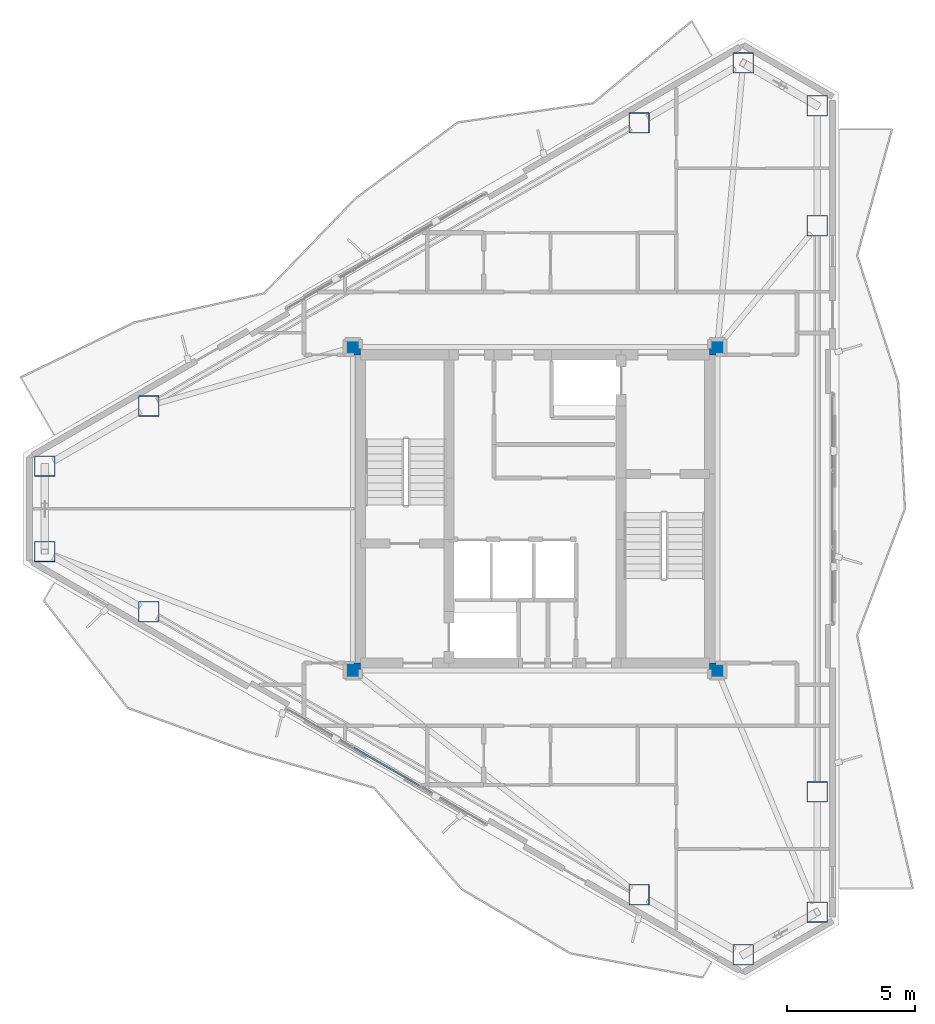
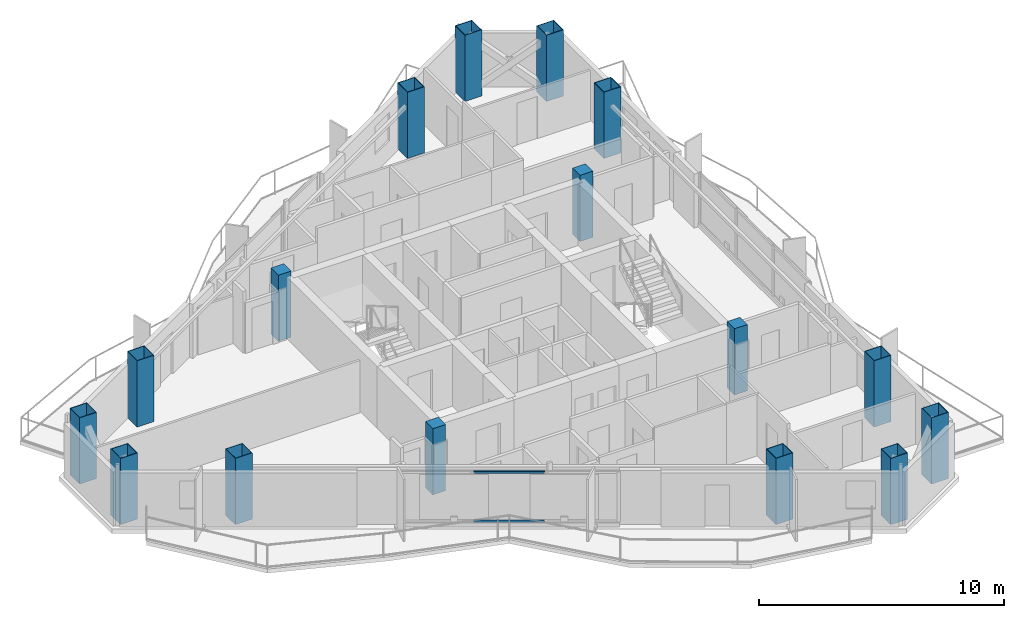
# One storey, part 1 of 22: 16 columns, 2 members, 1 element without a shape of its own.
"""IFC4 building model written with IfcOpenShell, lengths in metres."""

import ifcopenshell
import ifcopenshell.guid

model = None  # the IFC model being written
_history = None  # IfcOwnerHistory: only IFC2X3 demands one
_inside = {}  # id of a spatial element -> (the spatial element, [elements in it])
_under = {}  # id of a project, library or spatial element -> (it, [spatial elements below it])
_declared = {}  # id of a project -> (the project, [libraries it declares])
_typed = {}  # id of a type object -> (the type object, [elements of that type])
_made_of = {}  # id of a material, layer set ... -> (it, [elements and type objects made of it])


def new_model(schema):
    """Start an empty IFC model of exactly this schema.

    Asked for "IFC4X3", IfcOpenShell would pick the latest addendum, in which some entities
    have other attributes; the version numbers below select the first issue.
    IFC2X3 requires an IfcOwnerHistory on every rooted entity: one is made here for all.
    """
    global model, _history
    if schema == "IFC4X3":
        model = ifcopenshell.file(schema_version=(4, 3, 0, 0))
    else:
        model = ifcopenshell.file(schema=schema)
    _inside.clear()
    _under.clear()
    _declared.clear()
    _typed.clear()
    _made_of.clear()
    _history = None
    if model.schema == "IFC2X3":
        org = make("IfcOrganization", Name="unknown")
        user = make(
            "IfcPersonAndOrganization",
            ThePerson=make("IfcPerson", FamilyName="unknown"),
            TheOrganization=org,
        )
        app = make(
            "IfcApplication",
            ApplicationDeveloper=org,
            Version="unknown",
            ApplicationFullName="unknown",
            ApplicationIdentifier="unknown",
        )
        _history = make(
            "IfcOwnerHistory",
            OwningUser=user,
            OwningApplication=app,
            ChangeAction="ADDED",
            CreationDate=0,
        )
    return model


def make(cls, **values):
    """One entity of the class cls with the attributes given. An attribute that is None is left unset."""
    return model.create_entity(
        cls, **{name: value for name, value in values.items() if value is not None}
    )


def rooted(cls, **values):
    """An entity with a GlobalId (a new one), such as an element, a storey or a relation."""
    return make(cls, GlobalId=ifcopenshell.guid.new(), OwnerHistory=_history, **values)


def si_unit(unit_type, name, prefix=None):
    """IfcSIUnit, for example si_unit("LENGTHUNIT", "METRE", prefix="MILLI")."""
    return make("IfcSIUnit", UnitType=unit_type, Prefix=prefix, Name=name)


def assignment(units):
    """IfcUnitAssignment: the units of a project."""
    return None if units is None else make("IfcUnitAssignment", Units=units)


def point(xyz):
    """IfcCartesianPoint."""
    return None if xyz is None else make("IfcCartesianPoint", Coordinates=xyz)


def direction(xyz):
    """IfcDirection."""
    return None if xyz is None else make("IfcDirection", DirectionRatios=xyz)


def frame(location, z_axis=None, x_axis=None):
    """IfcAxis2Placement3D, a coordinate frame: its origin and axes. An axis left out is left unset."""
    return make(
        "IfcAxis2Placement3D",
        Location=point(location),
        Axis=direction(z_axis),
        RefDirection=direction(x_axis),
    )


def frame_2d(location, x_axis=None):
    """IfcAxis2Placement2D, a coordinate frame in the plane: its origin and x axis."""
    return make(
        "IfcAxis2Placement2D", Location=point(location), RefDirection=direction(x_axis)
    )


def origin():
    """The frame at (0, 0, 0) with its axes left unset."""
    return frame((0.0, 0.0, 0.0))


def origin_2d():
    """The frame at (0, 0) in the plane with its x axis left unset."""
    return frame_2d((0.0, 0.0))


def place(relative_to, where):
    """IfcLocalPlacement: puts the frame where relative to a parent placement (None: the world)."""
    return make(
        "IfcLocalPlacement", PlacementRelTo=relative_to, RelativePlacement=where
    )


def context(
    kind, dimensions, precision=None, world=None, true_north=None, identifier=None
):
    """IfcGeometricRepresentationContext, for example the 3D "Model" context."""
    return make(
        "IfcGeometricRepresentationContext",
        ContextIdentifier=identifier,
        ContextType=kind,
        CoordinateSpaceDimension=dimensions,
        Precision=precision,
        WorldCoordinateSystem=world,
        TrueNorth=true_north,
    )


def subcontext(parent, identifier, kind, view, scale=None):
    """IfcGeometricRepresentationSubContext, for example "Body" below "Model"."""
    return make(
        "IfcGeometricRepresentationSubContext",
        ContextIdentifier=identifier,
        ContextType=kind,
        ParentContext=parent,
        TargetScale=scale,
        TargetView=view,
    )


def project(units=None, contexts=None):
    """IfcProject with its units and contexts."""
    return rooted(
        "IfcProject",
        Name="project",
        RepresentationContexts=contexts,
        UnitsInContext=assignment(units),
    )


def spatial(cls, under=None, at=None, **own):
    """A site, building, storey or space (cls), placed at a placement, below another one or the project."""
    s = rooted(cls, ObjectPlacement=at, **own)
    if under is not None:
        _under.setdefault(under.id(), (under, []))[1].append(s)
    return s


def profile(cls, at=None, kind="AREA", **sizes):
    """A parametric profile (cls). Its sizes go by their IFC names, for example OverallWidth=200.0."""
    return make(cls, ProfileType=kind, Position=at, **sizes)


def rectangle(**sizes):
    """IfcRectangleProfileDef."""
    return profile("IfcRectangleProfileDef", **sizes)


def hollow_rectangle(**sizes):
    """IfcRectangleHollowProfileDef."""
    return profile("IfcRectangleHollowProfileDef", **sizes)


def extrude(swept, where, along, depth):
    """IfcExtrudedAreaSolid: the profile swept, set in the frame where, extruded along a direction by depth."""
    return make(
        "IfcExtrudedAreaSolid",
        SweptArea=swept,
        Position=where,
        ExtrudedDirection=direction(along),
        Depth=depth,
    )


def shape(context_of_items, identifier, shape_type, items):
    """IfcShapeRepresentation: the items that make up one representation, for example the "Body"."""
    return make(
        "IfcShapeRepresentation",
        ContextOfItems=context_of_items,
        RepresentationIdentifier=identifier,
        RepresentationType=shape_type,
        Items=items,
    )


def material(Name=None, Category=None):
    """IfcMaterial."""
    return make("IfcMaterial", Name=Name, Category=Category)


def layer(
    of_material, thickness, ventilated=None, Name=None, Category=None, Priority=None
):
    """IfcMaterialLayer: one layer of a wall or slab, of a material (None: an air gap)."""
    return make(
        "IfcMaterialLayer",
        Material=of_material,
        LayerThickness=thickness,
        IsVentilated=ventilated,
        Name=Name,
        Category=Category,
        Priority=Priority,
    )


def layer_set(layers, Name=None):
    """IfcMaterialLayerSet."""
    return make("IfcMaterialLayerSet", MaterialLayers=layers, LayerSetName=Name)


def material_profile(
    of_material, cross_section, Name=None, Category=None, Priority=None
):
    """IfcMaterialProfile: a cross section and its material."""
    return make(
        "IfcMaterialProfile",
        Name=Name,
        Material=of_material,
        Profile=cross_section,
        Priority=Priority,
        Category=Category,
    )


def profile_set(profiles, Name=None, composite=None):
    """IfcMaterialProfileSet."""
    return make(
        "IfcMaterialProfileSet",
        Name=Name,
        MaterialProfiles=profiles,
        CompositeProfile=composite,
    )


def made_of(thing, what):
    """Note that an element or type object is made of a material, layer set ...; save() writes the relation."""
    if what is not None:
        _made_of.setdefault(what.id(), (what, []))[1].append(thing)
    return thing


def type_object(cls, material=None, **own):
    """A type object (cls), such as IfcWallType, which elements share."""
    return made_of(rooted(cls, **own), material)


def element(
    cls,
    number,
    at=None,
    inside=None,
    cuts=None,
    type_object=None,
    material=None,
    context=None,
    identifier="Body",
    shape_type=None,
    held_by="IfcProductDefinitionShape",
    body=None,
    shapes=None,
    **own,
):
    """One element of the class cls, such as IfcWall. Its Tag is "e" and its number.

    at: its placement. inside: the storey or other place that contains it. cuts: it is an
    opening in that element (IfcRelVoidsElement). A single representation is given by context,
    identifier, shape_type and body (its items); several are given by shapes. held_by: the class
    of the entity that holds the representations. save() writes the other relations.
    """
    e = rooted(cls, Tag="e%d" % number, ObjectPlacement=at, **own)
    if body is not None:
        shapes = [shape(context, identifier, shape_type, body)]
    if shapes is not None:
        e.Representation = make(held_by, Representations=shapes)
    if inside is not None:
        _inside.setdefault(inside.id(), (inside, []))[1].append(e)
    if cuts is not None:
        rooted(
            "IfcRelVoidsElement", RelatingBuildingElement=cuts, RelatedOpeningElement=e
        )
    if type_object is not None:
        _typed.setdefault(type_object.id(), (type_object, []))[1].append(e)
    return made_of(e, material)


def aggregate(whole, parts):
    """IfcRelAggregates: a whole, such as a stair, and the parts it consists of."""
    return rooted("IfcRelAggregates", RelatingObject=whole, RelatedObjects=parts)


def save(model, path):
    """Write the relations noted so far, then the file.

    IfcRelAggregates (storeys below a building ...), IfcRelContainedInSpatialStructure (elements
    in a storey), IfcRelDefinesByType, IfcRelAssociatesMaterial and IfcRelDeclares: one each for
    every whole, place, type object, material and project.
    """
    for whole, parts in _under.values():
        aggregate(whole, parts)
    for where, things in _inside.values():
        rooted(
            "IfcRelContainedInSpatialStructure",
            RelatedElements=things,
            RelatingStructure=where,
        )
    for kind, things in _typed.values():
        rooted("IfcRelDefinesByType", RelatedObjects=things, RelatingType=kind)
    for what, things in _made_of.values():
        rooted("IfcRelAssociatesMaterial", RelatedObjects=things, RelatingMaterial=what)
    for by, libraries in _declared.values():
        rooted("IfcRelDeclares", RelatingContext=by, RelatedDefinitions=libraries)
    model.write(path)


model = new_model("IFC4")

# Units and contexts
model_context = context("Model", 3, precision=1e-05, world=origin(), true_north=direction((0.0, 1.0)))
body_context = subcontext(model_context, "Body", "Model", "MODEL_VIEW")
ifc_project = project(units=[si_unit("LENGTHUNIT", "METRE"), si_unit("AREAUNIT", "SQUARE_METRE"), si_unit("VOLUMEUNIT", "CUBIC_METRE"), si_unit("PLANEANGLEUNIT", "RADIAN"), si_unit("MASSUNIT", "GRAM", prefix="KILO")], contexts=[model_context])

# Site, building, storey
site_placement = place(None, origin())
site = spatial("IfcSite", under=ifc_project, at=site_placement, CompositionType="ELEMENT")
building_placement = place(site_placement, origin())
building = spatial("IfcBuilding", under=site, at=building_placement, Name="Mersakhor Tower and Convention Hall", CompositionType="ELEMENT")
storey_placement = place(building_placement, frame((0.0, 0.0, 205.199951171875)))
storey = spatial("IfcBuildingStorey", under=building, at=storey_placement, Name="L57", CompositionType="ELEMENT", Elevation=205.199951171875)

# Columns
ifc_material_1 = material(Name="Concrete C50/60 in S460M steel box", Category="concrete")
ifc_material_profile_1 = material_profile(ifc_material_1, hollow_rectangle(XDim=0.800048828125, YDim=0.800048828125, WallThickness=0.02490234375, at=origin_2d()), Name="SHS 800x800x25")
ifc_profile_set_1 = profile_set([ifc_material_profile_1], Name="Concrete C50/60 in S460M steel box")
column_type_1 = type_object("IfcColumnType", Name="COL-CFT-800", PredefinedType="COLUMN", material=ifc_profile_set_1)
for number, where, z_axis, x_axis, name in (
    (1, (9.907470703125, 28.415283203125, 0.0), (0.0, 0.0, 1.0), (1.0, 0.0, 0.0), "L57 Perimeter Mega-Column MC-01"),
    (2, (13.959716796875, 30.7548828125, 0.0), (0.0, 0.0, 1.0), (1.0, 0.0, 0.0), "L57 Perimeter Mega-Column MC-02"),
    (3, (33.0517578125, 41.777587890625, 0.0), (0.0, 0.0, 1.0), (1.0, 0.0, 0.0), "L57 Perimeter Mega-Column MC-03"),
    (4, (37.10400390625, 44.1171875, 0.0), (0.0, 0.0, 1.0), (1.0, 0.0, 0.0), "L57 Perimeter Mega-Column MC-04"),
    (5, (39.98828125, 42.451904296875, 0.0), (0.0, 0.0, 1.0), (1.0, 0.0, 0.0), "L57 Perimeter Mega-Column MC-05"),
    (6, (39.98828125, 37.772705078125, 0.0), (0.0, 0.0, 1.0), (1.0, 0.0, 0.0), "L57 Perimeter Mega-Column MC-06"),
    (7, (39.98828125, 15.727294921875, 0.0), (0.0, 0.0, 1.0), (1.0, 0.0, 0.0), "L57 Perimeter Mega-Column MC-07"),
    (8, (39.98828125, 11.048095703125, 0.0), (0.0, 0.0, 1.0), (1.0, 0.0, 0.0), "L57 Perimeter Mega-Column MC-08"),
    (9, (37.10400390625, 9.3828125, 0.0), (0.0, 0.0, 1.0), (1.0, 0.0, 0.0), "L57 Perimeter Mega-Column MC-09"),
    (10, (33.0517578125, 11.722412109375, 0.0), (0.0, 0.0, 1.0), (1.0, 0.0, 0.0), "L57 Perimeter Mega-Column MC-10"),
    (11, (13.959716796875, 22.7451171875, 0.0), (0.0, 0.0, 1.0), (1.0, 0.0, 0.0), "L57 Perimeter Mega-Column MC-11"),
    (12, (9.907470703125, 25.084716796875, 0.0), (0.0, 0.0, 1.0), (1.0, 0.0, 0.0), "L57 Perimeter Mega-Column MC-12"),
):
    element("IfcColumn", number, at=place(storey_placement, frame(where, z_axis=z_axis, x_axis=x_axis)), inside=storey, type_object=column_type_1, Name=name, PredefinedType="COLUMN", context=body_context, shape_type="SweptSolid", body=[
        extrude(hollow_rectangle(XDim=0.800048828125, YDim=0.800048828125, WallThickness=0.02490234375, at=origin_2d()), origin(), (0.0, 0.0, 1.0), 3.300048828125),
    ])
ifc_material_2 = material(Name="Concrete C50/60", Category="concrete")
ifc_material_profile_2 = material_profile(ifc_material_2, rectangle(XDim=0.60009765625, YDim=0.60009765625, at=origin_2d()), Name="RC 600x600")
ifc_profile_set_2 = profile_set([ifc_material_profile_2], Name="Concrete C50/60")
column_type_2 = type_object("IfcColumnType", Name="COL-RC-600", PredefinedType="COLUMN", material=ifc_profile_set_2)
for number, where, z_axis, x_axis, name in (
    (13, (21.89990234375, 20.449951171875, 0.0), (0.0, 0.0, 1.0), (1.0, 0.0, 0.0), "L57 Core Corner Column CC-1"),
    (14, (21.89990234375, 33.050048828125, 0.0), (0.0, 0.0, 1.0), (1.0, 0.0, 0.0), "L57 Core Corner Column CC-2"),
    (15, (36.10009765625, 33.050048828125, 0.0), (0.0, 0.0, 1.0), (1.0, 0.0, 0.0), "L57 Core Corner Column CC-3"),
    (16, (36.10009765625, 20.449951171875, 0.0), (0.0, 0.0, 1.0), (1.0, 0.0, 0.0), "L57 Core Corner Column CC-4"),
):
    element("IfcColumn", number, at=place(storey_placement, frame(where, z_axis=z_axis, x_axis=x_axis)), inside=storey, type_object=column_type_2, Name=name, PredefinedType="COLUMN", context=body_context, shape_type="SweptSolid", body=[
        extrude(rectangle(XDim=0.60009765625, YDim=0.60009765625, at=origin_2d()), origin(), (0.0, 0.0, 1.0), 3.300048828125),
    ])

# Curtain wall, members
ifc_material_3 = material(Name="Dark solar low-E aluminium curtain wall", Category="aluminium")
ifc_layer = layer(ifc_material_3, 0.169921875)
ifc_layer_set = layer_set([ifc_layer], Name="Dark solar low-E aluminium curtain wall")
curtain_wall_type = type_object("IfcCurtainWallType", Name="CW-SYS-02", PredefinedType="USERDEFINED", material=ifc_layer_set)
curtain_wall_placement = place(storey_placement, origin())
curtain_wall = element("IfcCurtainWall", 17, at=curtain_wall_placement, inside=storey, type_object=curtain_wall_type, Name="L57 Dark-Glass Curtain Wall F3-B2", ObjectType="CURTAIN WALL", PredefinedType="USERDEFINED")
ifc_material_4 = material(Name="Anodised aluminium EN AW-6063 T6", Category="aluminium")
ifc_material_profile_3 = material_profile(ifc_material_4, hollow_rectangle(XDim=0.06005859375, YDim=0.1201171875, WallThickness=0.0048828125, at=origin_2d()), Name="RHS 120x60x5")
ifc_profile_set_3 = profile_set([ifc_material_profile_3], Name="Anodised aluminium EN AW-6063 T6")
member_type = type_object("IfcMemberType", Name="CWT-120x60", PredefinedType="USERDEFINED", material=ifc_profile_set_3)
member_1_placement = place(storey_placement, frame((24.47216796875, 15.98291015625, 0.22998046875), z_axis=(-0.866004860328, 0.500035580622, 0.0), x_axis=(-0.500035580622, -0.866004860328, 0.0)))
member_1 = element("IfcMember", 18, at=member_1_placement, type_object=member_type, Name="CW-02 transom 2.1", ObjectType="TRANSOM", PredefinedType="USERDEFINED", context=body_context, shape_type="SweptSolid", body=[
    extrude(hollow_rectangle(XDim=0.06005859375, YDim=0.1201171875, WallThickness=0.0048828125, at=origin_2d()), origin(), (0.0, 0.0, 1.0), 2.924560546875),
])
member_2_placement = place(storey_placement, frame((24.47216796875, 15.98291015625, 2.66015625), z_axis=(-0.866004860328, 0.500035580622, 0.0), x_axis=(-0.500035580622, -0.866004860328, 0.0)))
member_2 = element("IfcMember", 19, at=member_2_placement, type_object=member_type, Name="CW-02 transom 2.2", ObjectType="TRANSOM", PredefinedType="USERDEFINED", context=body_context, shape_type="SweptSolid", body=[
    extrude(hollow_rectangle(XDim=0.06005859375, YDim=0.1201171875, WallThickness=0.0048828125, at=origin_2d()), origin(), (0.0, 0.0, 1.0), 2.924560546875),
])
aggregate(curtain_wall, [member_1, member_2])

save(model, "model.ifc")
